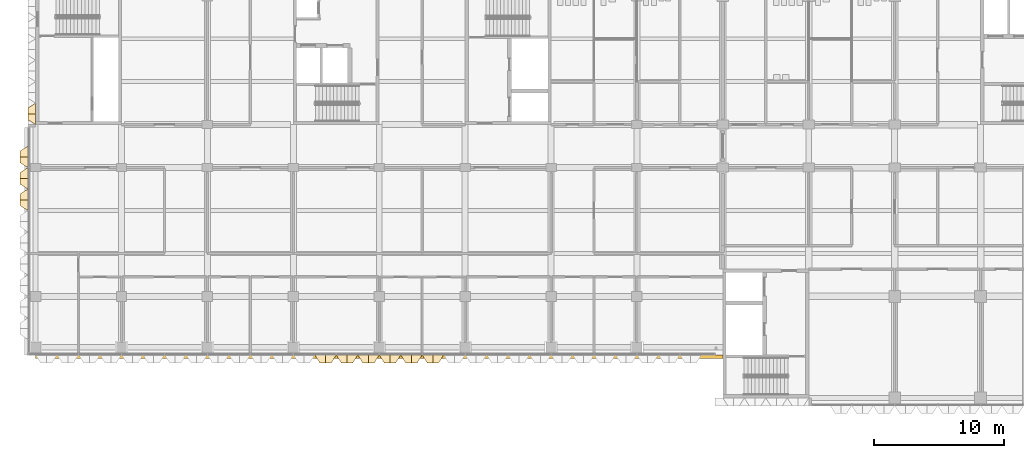
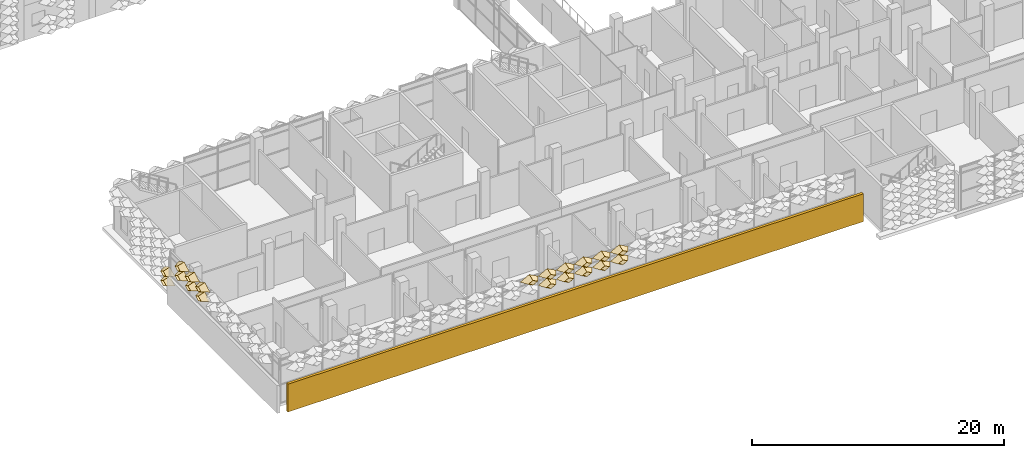
# One storey, part 58 of 102: 20 coverings.
"""IFC4 building model written with IfcOpenShell, lengths in metres."""

from ifc_helpers import new_model, entity, si_unit, direction, frame, frame_2d, origin, place, context, subcontext, project, spatial, rectangle, extrude, material, layer, layer_set, type_object, element, save


model = new_model("IFC4")

# Units and contexts
model_context = context("Model", 3, precision=1e-05, world=origin(), true_north=direction((0.0, 1.0)))
body_context = subcontext(model_context, "Body", "Model", "MODEL_VIEW")
ifc_project = project(units=[si_unit("LENGTHUNIT", "METRE"), si_unit("AREAUNIT", "SQUARE_METRE"), si_unit("VOLUMEUNIT", "CUBIC_METRE"), si_unit("PLANEANGLEUNIT", "RADIAN"), si_unit("MASSUNIT", "GRAM", prefix="KILO")], contexts=[model_context])

# Site, building, storey
site_placement = place(None, origin())
site = spatial("IfcSite", under=ifc_project, at=site_placement, CompositionType="ELEMENT")
building_placement = place(site_placement, origin())
building = spatial("IfcBuilding", under=site, at=building_placement, Name="Lantern Court Research Institute", CompositionType="ELEMENT")
storey_placement = place(building_placement, frame((0.0, 0.0, 9.89990234375)))
storey = spatial("IfcBuildingStorey", under=building, at=storey_placement, Name="L02", CompositionType="ELEMENT", Elevation=9.89990234375)

# Coverings
ifc_material_1 = material(Name="Anodised aluminium", Category="aluminium")
ifc_layer_1 = layer(ifc_material_1, 0.01611328125)
ifc_layer_set_1 = layer_set([ifc_layer_1], Name="Anodised aluminium")
covering_type_1 = type_object("IfcCoveringType", Name="Fin cassette 1650 x 900 x 600 aluminium", PredefinedType="CLADDING", material=ifc_layer_set_1)
covering_1_placement = place(storey_placement, frame((23.925048828125, -4.5, 3.150146484375), z_axis=(0.0, -1.0, 0.0), x_axis=(1.0, 0.0, 0.0)))
cartesian_point_1 = entity("IfcCartesianPoint", [0.824951171875, 0.0])
cartesian_point_2 = entity("IfcCartesianPoint", [0.79150390625, 0.0])
cartesian_point_3 = entity("IfcCartesianPoint", [0.44189453125, 0.0])
cartesian_point_4 = entity("IfcCartesianPoint", [0.43359375, 0.0])
element("IfcCovering", 1, at=covering_1_placement, inside=storey, type_object=covering_type_1, Name="Fin cassette V4S-L02 4.15", PredefinedType="CLADDING", context=body_context, shape_type="SweptSolid", body=[
    entity("IfcExtrudedAreaSolidTapered", entity("IfcArbitraryProfileDefWithVoids", "AREA", None, entity("IfcPolyline", [cartesian_point_1, entity("IfcCartesianPoint", [0.0, 0.449951171875]), entity("IfcCartesianPoint", [-0.824951171875, 0.0]), entity("IfcCartesianPoint", [0.0, -0.449951171875]), cartesian_point_1]), [entity("IfcPolyline", [cartesian_point_2, entity("IfcCartesianPoint", [0.0, 0.431884765625]), entity("IfcCartesianPoint", [-0.79150390625, 0.0]), entity("IfcCartesianPoint", [0.0, -0.431884765625]), cartesian_point_2])]), entity("IfcAxis2Placement3D", entity("IfcCartesianPoint", [0.0, 0.0, 0.0])), entity("IfcDirection", [0.0, 0.0, 1.0]), 0.60009765625, entity("IfcArbitraryProfileDefWithVoids", "AREA", None, entity("IfcPolyline", [cartesian_point_3, entity("IfcCartesianPoint", [0.0, 0.240966796875]), entity("IfcCartesianPoint", [-0.44189453125, 0.0]), entity("IfcCartesianPoint", [0.0, -0.240966796875]), cartesian_point_3]), [entity("IfcPolyline", [cartesian_point_4, entity("IfcCartesianPoint", [0.0, 0.236572265625]), entity("IfcCartesianPoint", [-0.43359375, 0.0]), entity("IfcCartesianPoint", [0.0, -0.236572265625]), cartesian_point_4])])),
])
covering_2_placement = place(storey_placement, frame((25.574951171875, -4.5, 3.150146484375), z_axis=(0.0, -1.0, 0.0), x_axis=(1.0, 0.0, 0.0)))
cartesian_point_5 = entity("IfcCartesianPoint", [0.824951171875, 0.0])
cartesian_point_6 = entity("IfcCartesianPoint", [0.79150390625, 0.0])
cartesian_point_7 = entity("IfcCartesianPoint", [0.44189453125, 0.0])
cartesian_point_8 = entity("IfcCartesianPoint", [0.43359375, 0.0])
element("IfcCovering", 2, at=covering_2_placement, inside=storey, type_object=covering_type_1, Name="Fin cassette V4S-L02 4.16", PredefinedType="CLADDING", context=body_context, shape_type="SweptSolid", body=[
    entity("IfcExtrudedAreaSolidTapered", entity("IfcArbitraryProfileDefWithVoids", "AREA", None, entity("IfcPolyline", [cartesian_point_5, entity("IfcCartesianPoint", [0.0, 0.449951171875]), entity("IfcCartesianPoint", [-0.824951171875, 0.0]), entity("IfcCartesianPoint", [0.0, -0.449951171875]), cartesian_point_5]), [entity("IfcPolyline", [cartesian_point_6, entity("IfcCartesianPoint", [0.0, 0.431884765625]), entity("IfcCartesianPoint", [-0.79150390625, 0.0]), entity("IfcCartesianPoint", [0.0, -0.431884765625]), cartesian_point_6])]), entity("IfcAxis2Placement3D", entity("IfcCartesianPoint", [0.0, 0.0, 0.0])), entity("IfcDirection", [0.0, 0.0, 1.0]), 0.60009765625, entity("IfcArbitraryProfileDefWithVoids", "AREA", None, entity("IfcPolyline", [cartesian_point_7, entity("IfcCartesianPoint", [0.0, 0.240966796875]), entity("IfcCartesianPoint", [-0.44189453125, 0.0]), entity("IfcCartesianPoint", [0.0, -0.240966796875]), cartesian_point_7]), [entity("IfcPolyline", [cartesian_point_8, entity("IfcCartesianPoint", [0.0, 0.236572265625]), entity("IfcCartesianPoint", [-0.43359375, 0.0]), entity("IfcCartesianPoint", [0.0, -0.236572265625]), cartesian_point_8])])),
])
covering_3_placement = place(storey_placement, frame((27.22509765625, -4.5, 3.150146484375), z_axis=(0.0, -1.0, 0.0), x_axis=(1.0, 0.0, 0.0)))
cartesian_point_9 = entity("IfcCartesianPoint", [0.824951171875, 0.0])
cartesian_point_10 = entity("IfcCartesianPoint", [0.79150390625, 0.0])
cartesian_point_11 = entity("IfcCartesianPoint", [0.44189453125, 0.0])
cartesian_point_12 = entity("IfcCartesianPoint", [0.43359375, 0.0])
element("IfcCovering", 3, at=covering_3_placement, inside=storey, type_object=covering_type_1, Name="Fin cassette V4S-L02 4.17", PredefinedType="CLADDING", context=body_context, shape_type="SweptSolid", body=[
    entity("IfcExtrudedAreaSolidTapered", entity("IfcArbitraryProfileDefWithVoids", "AREA", None, entity("IfcPolyline", [cartesian_point_9, entity("IfcCartesianPoint", [0.0, 0.449951171875]), entity("IfcCartesianPoint", [-0.824951171875, 0.0]), entity("IfcCartesianPoint", [0.0, -0.449951171875]), cartesian_point_9]), [entity("IfcPolyline", [cartesian_point_10, entity("IfcCartesianPoint", [0.0, 0.431884765625]), entity("IfcCartesianPoint", [-0.79150390625, 0.0]), entity("IfcCartesianPoint", [0.0, -0.431884765625]), cartesian_point_10])]), entity("IfcAxis2Placement3D", entity("IfcCartesianPoint", [0.0, 0.0, 0.0])), entity("IfcDirection", [0.0, 0.0, 1.0]), 0.60009765625, entity("IfcArbitraryProfileDefWithVoids", "AREA", None, entity("IfcPolyline", [cartesian_point_11, entity("IfcCartesianPoint", [0.0, 0.240966796875]), entity("IfcCartesianPoint", [-0.44189453125, 0.0]), entity("IfcCartesianPoint", [0.0, -0.240966796875]), cartesian_point_11]), [entity("IfcPolyline", [cartesian_point_12, entity("IfcCartesianPoint", [0.0, 0.236572265625]), entity("IfcCartesianPoint", [-0.43359375, 0.0]), entity("IfcCartesianPoint", [0.0, -0.236572265625]), cartesian_point_12])])),
])
covering_4_placement = place(storey_placement, frame((28.875, -4.5, 3.150146484375), z_axis=(0.0, -1.0, 0.0), x_axis=(1.0, 0.0, 0.0)))
cartesian_point_13 = entity("IfcCartesianPoint", [0.824951171875, 0.0])
cartesian_point_14 = entity("IfcCartesianPoint", [0.79150390625, 0.0])
cartesian_point_15 = entity("IfcCartesianPoint", [0.44189453125, 0.0])
cartesian_point_16 = entity("IfcCartesianPoint", [0.43359375, 0.0])
element("IfcCovering", 4, at=covering_4_placement, inside=storey, type_object=covering_type_1, Name="Fin cassette V4S-L02 4.18", PredefinedType="CLADDING", context=body_context, shape_type="SweptSolid", body=[
    entity("IfcExtrudedAreaSolidTapered", entity("IfcArbitraryProfileDefWithVoids", "AREA", None, entity("IfcPolyline", [cartesian_point_13, entity("IfcCartesianPoint", [0.0, 0.449951171875]), entity("IfcCartesianPoint", [-0.824951171875, 0.0]), entity("IfcCartesianPoint", [0.0, -0.449951171875]), cartesian_point_13]), [entity("IfcPolyline", [cartesian_point_14, entity("IfcCartesianPoint", [0.0, 0.431884765625]), entity("IfcCartesianPoint", [-0.79150390625, 0.0]), entity("IfcCartesianPoint", [0.0, -0.431884765625]), cartesian_point_14])]), entity("IfcAxis2Placement3D", entity("IfcCartesianPoint", [0.0, 0.0, 0.0])), entity("IfcDirection", [0.0, 0.0, 1.0]), 0.60009765625, entity("IfcArbitraryProfileDefWithVoids", "AREA", None, entity("IfcPolyline", [cartesian_point_15, entity("IfcCartesianPoint", [0.0, 0.240966796875]), entity("IfcCartesianPoint", [-0.44189453125, 0.0]), entity("IfcCartesianPoint", [0.0, -0.240966796875]), cartesian_point_15]), [entity("IfcPolyline", [cartesian_point_16, entity("IfcCartesianPoint", [0.0, 0.236572265625]), entity("IfcCartesianPoint", [-0.43359375, 0.0]), entity("IfcCartesianPoint", [0.0, -0.236572265625]), cartesian_point_16])])),
])
covering_5_placement = place(storey_placement, frame((30.52490234375, -4.5, 3.150146484375), z_axis=(0.0, -1.0, 0.0), x_axis=(1.0, 0.0, 0.0)))
cartesian_point_17 = entity("IfcCartesianPoint", [0.824951171875, 0.0])
cartesian_point_18 = entity("IfcCartesianPoint", [0.79150390625, 0.0])
cartesian_point_19 = entity("IfcCartesianPoint", [0.44189453125, 0.0])
cartesian_point_20 = entity("IfcCartesianPoint", [0.43359375, 0.0])
element("IfcCovering", 5, at=covering_5_placement, inside=storey, type_object=covering_type_1, Name="Fin cassette V4S-L02 4.19", PredefinedType="CLADDING", context=body_context, shape_type="SweptSolid", body=[
    entity("IfcExtrudedAreaSolidTapered", entity("IfcArbitraryProfileDefWithVoids", "AREA", None, entity("IfcPolyline", [cartesian_point_17, entity("IfcCartesianPoint", [0.0, 0.449951171875]), entity("IfcCartesianPoint", [-0.824951171875, 0.0]), entity("IfcCartesianPoint", [0.0, -0.449951171875]), cartesian_point_17]), [entity("IfcPolyline", [cartesian_point_18, entity("IfcCartesianPoint", [0.0, 0.431884765625]), entity("IfcCartesianPoint", [-0.79150390625, 0.0]), entity("IfcCartesianPoint", [0.0, -0.431884765625]), cartesian_point_18])]), entity("IfcAxis2Placement3D", entity("IfcCartesianPoint", [0.0, 0.0, 0.0])), entity("IfcDirection", [0.0, 0.0, 1.0]), 0.60009765625, entity("IfcArbitraryProfileDefWithVoids", "AREA", None, entity("IfcPolyline", [cartesian_point_19, entity("IfcCartesianPoint", [0.0, 0.240966796875]), entity("IfcCartesianPoint", [-0.44189453125, 0.0]), entity("IfcCartesianPoint", [0.0, -0.240966796875]), cartesian_point_19]), [entity("IfcPolyline", [cartesian_point_20, entity("IfcCartesianPoint", [0.0, 0.236572265625]), entity("IfcCartesianPoint", [-0.43359375, 0.0]), entity("IfcCartesianPoint", [0.0, -0.236572265625]), cartesian_point_20])])),
])
covering_6_placement = place(storey_placement, frame((22.27490234375, -4.5, 4.050048828125), z_axis=(0.0, -1.0, 0.0), x_axis=(1.0, 0.0, 0.0)))
cartesian_point_21 = entity("IfcCartesianPoint", [0.824951171875, 0.0])
cartesian_point_22 = entity("IfcCartesianPoint", [0.79150390625, 0.0])
cartesian_point_23 = entity("IfcCartesianPoint", [0.44189453125, 0.0])
cartesian_point_24 = entity("IfcCartesianPoint", [0.43359375, 0.0])
element("IfcCovering", 6, at=covering_6_placement, inside=storey, type_object=covering_type_1, Name="Fin cassette V4S-L02 5.14", PredefinedType="CLADDING", context=body_context, shape_type="SweptSolid", body=[
    entity("IfcExtrudedAreaSolidTapered", entity("IfcArbitraryProfileDefWithVoids", "AREA", None, entity("IfcPolyline", [cartesian_point_21, entity("IfcCartesianPoint", [0.0, 0.449951171875]), entity("IfcCartesianPoint", [-0.824951171875, 0.0]), entity("IfcCartesianPoint", [0.0, -0.449951171875]), cartesian_point_21]), [entity("IfcPolyline", [cartesian_point_22, entity("IfcCartesianPoint", [0.0, 0.431884765625]), entity("IfcCartesianPoint", [-0.79150390625, 0.0]), entity("IfcCartesianPoint", [0.0, -0.431884765625]), cartesian_point_22])]), entity("IfcAxis2Placement3D", entity("IfcCartesianPoint", [0.0, 0.0, 0.0])), entity("IfcDirection", [0.0, 0.0, 1.0]), 0.60009765625, entity("IfcArbitraryProfileDefWithVoids", "AREA", None, entity("IfcPolyline", [cartesian_point_23, entity("IfcCartesianPoint", [0.0, 0.240966796875]), entity("IfcCartesianPoint", [-0.44189453125, 0.0]), entity("IfcCartesianPoint", [0.0, -0.240966796875]), cartesian_point_23]), [entity("IfcPolyline", [cartesian_point_24, entity("IfcCartesianPoint", [0.0, 0.236572265625]), entity("IfcCartesianPoint", [-0.43359375, 0.0]), entity("IfcCartesianPoint", [0.0, -0.236572265625]), cartesian_point_24])])),
])
covering_7_placement = place(storey_placement, frame((23.925048828125, -4.5, 4.050048828125), z_axis=(0.0, -1.0, 0.0), x_axis=(1.0, 0.0, 0.0)))
cartesian_point_25 = entity("IfcCartesianPoint", [0.824951171875, 0.0])
cartesian_point_26 = entity("IfcCartesianPoint", [0.79150390625, 0.0])
cartesian_point_27 = entity("IfcCartesianPoint", [0.44189453125, 0.0])
cartesian_point_28 = entity("IfcCartesianPoint", [0.43359375, 0.0])
element("IfcCovering", 7, at=covering_7_placement, inside=storey, type_object=covering_type_1, Name="Fin cassette V4S-L02 5.15", PredefinedType="CLADDING", context=body_context, shape_type="SweptSolid", body=[
    entity("IfcExtrudedAreaSolidTapered", entity("IfcArbitraryProfileDefWithVoids", "AREA", None, entity("IfcPolyline", [cartesian_point_25, entity("IfcCartesianPoint", [0.0, 0.449951171875]), entity("IfcCartesianPoint", [-0.824951171875, 0.0]), entity("IfcCartesianPoint", [0.0, -0.449951171875]), cartesian_point_25]), [entity("IfcPolyline", [cartesian_point_26, entity("IfcCartesianPoint", [0.0, 0.431884765625]), entity("IfcCartesianPoint", [-0.79150390625, 0.0]), entity("IfcCartesianPoint", [0.0, -0.431884765625]), cartesian_point_26])]), entity("IfcAxis2Placement3D", entity("IfcCartesianPoint", [0.0, 0.0, 0.0])), entity("IfcDirection", [0.0, 0.0, 1.0]), 0.60009765625, entity("IfcArbitraryProfileDefWithVoids", "AREA", None, entity("IfcPolyline", [cartesian_point_27, entity("IfcCartesianPoint", [0.0, 0.240966796875]), entity("IfcCartesianPoint", [-0.44189453125, 0.0]), entity("IfcCartesianPoint", [0.0, -0.240966796875]), cartesian_point_27]), [entity("IfcPolyline", [cartesian_point_28, entity("IfcCartesianPoint", [0.0, 0.236572265625]), entity("IfcCartesianPoint", [-0.43359375, 0.0]), entity("IfcCartesianPoint", [0.0, -0.236572265625]), cartesian_point_28])])),
])
covering_8_placement = place(storey_placement, frame((25.574951171875, -4.5, 4.050048828125), z_axis=(0.0, -1.0, 0.0), x_axis=(1.0, 0.0, 0.0)))
cartesian_point_29 = entity("IfcCartesianPoint", [0.824951171875, 0.0])
cartesian_point_30 = entity("IfcCartesianPoint", [0.79150390625, 0.0])
cartesian_point_31 = entity("IfcCartesianPoint", [0.44189453125, 0.0])
cartesian_point_32 = entity("IfcCartesianPoint", [0.43359375, 0.0])
element("IfcCovering", 8, at=covering_8_placement, inside=storey, type_object=covering_type_1, Name="Fin cassette V4S-L02 5.16", PredefinedType="CLADDING", context=body_context, shape_type="SweptSolid", body=[
    entity("IfcExtrudedAreaSolidTapered", entity("IfcArbitraryProfileDefWithVoids", "AREA", None, entity("IfcPolyline", [cartesian_point_29, entity("IfcCartesianPoint", [0.0, 0.449951171875]), entity("IfcCartesianPoint", [-0.824951171875, 0.0]), entity("IfcCartesianPoint", [0.0, -0.449951171875]), cartesian_point_29]), [entity("IfcPolyline", [cartesian_point_30, entity("IfcCartesianPoint", [0.0, 0.431884765625]), entity("IfcCartesianPoint", [-0.79150390625, 0.0]), entity("IfcCartesianPoint", [0.0, -0.431884765625]), cartesian_point_30])]), entity("IfcAxis2Placement3D", entity("IfcCartesianPoint", [0.0, 0.0, 0.0])), entity("IfcDirection", [0.0, 0.0, 1.0]), 0.60009765625, entity("IfcArbitraryProfileDefWithVoids", "AREA", None, entity("IfcPolyline", [cartesian_point_31, entity("IfcCartesianPoint", [0.0, 0.240966796875]), entity("IfcCartesianPoint", [-0.44189453125, 0.0]), entity("IfcCartesianPoint", [0.0, -0.240966796875]), cartesian_point_31]), [entity("IfcPolyline", [cartesian_point_32, entity("IfcCartesianPoint", [0.0, 0.236572265625]), entity("IfcCartesianPoint", [-0.43359375, 0.0]), entity("IfcCartesianPoint", [0.0, -0.236572265625]), cartesian_point_32])])),
])
covering_9_placement = place(storey_placement, frame((27.22509765625, -4.5, 4.050048828125), z_axis=(0.0, -1.0, 0.0), x_axis=(1.0, 0.0, 0.0)))
cartesian_point_33 = entity("IfcCartesianPoint", [0.824951171875, 0.0])
cartesian_point_34 = entity("IfcCartesianPoint", [0.79150390625, 0.0])
cartesian_point_35 = entity("IfcCartesianPoint", [0.44189453125, 0.0])
cartesian_point_36 = entity("IfcCartesianPoint", [0.43359375, 0.0])
element("IfcCovering", 9, at=covering_9_placement, inside=storey, type_object=covering_type_1, Name="Fin cassette V4S-L02 5.17", PredefinedType="CLADDING", context=body_context, shape_type="SweptSolid", body=[
    entity("IfcExtrudedAreaSolidTapered", entity("IfcArbitraryProfileDefWithVoids", "AREA", None, entity("IfcPolyline", [cartesian_point_33, entity("IfcCartesianPoint", [0.0, 0.449951171875]), entity("IfcCartesianPoint", [-0.824951171875, 0.0]), entity("IfcCartesianPoint", [0.0, -0.449951171875]), cartesian_point_33]), [entity("IfcPolyline", [cartesian_point_34, entity("IfcCartesianPoint", [0.0, 0.431884765625]), entity("IfcCartesianPoint", [-0.79150390625, 0.0]), entity("IfcCartesianPoint", [0.0, -0.431884765625]), cartesian_point_34])]), entity("IfcAxis2Placement3D", entity("IfcCartesianPoint", [0.0, 0.0, 0.0])), entity("IfcDirection", [0.0, 0.0, 1.0]), 0.60009765625, entity("IfcArbitraryProfileDefWithVoids", "AREA", None, entity("IfcPolyline", [cartesian_point_35, entity("IfcCartesianPoint", [0.0, 0.240966796875]), entity("IfcCartesianPoint", [-0.44189453125, 0.0]), entity("IfcCartesianPoint", [0.0, -0.240966796875]), cartesian_point_35]), [entity("IfcPolyline", [cartesian_point_36, entity("IfcCartesianPoint", [0.0, 0.236572265625]), entity("IfcCartesianPoint", [-0.43359375, 0.0]), entity("IfcCartesianPoint", [0.0, -0.236572265625]), cartesian_point_36])])),
])
covering_10_placement = place(storey_placement, frame((28.875, -4.5, 4.050048828125), z_axis=(0.0, -1.0, 0.0), x_axis=(1.0, 0.0, 0.0)))
cartesian_point_37 = entity("IfcCartesianPoint", [0.824951171875, 0.0])
cartesian_point_38 = entity("IfcCartesianPoint", [0.79150390625, 0.0])
cartesian_point_39 = entity("IfcCartesianPoint", [0.44189453125, 0.0])
cartesian_point_40 = entity("IfcCartesianPoint", [0.43359375, 0.0])
element("IfcCovering", 10, at=covering_10_placement, inside=storey, type_object=covering_type_1, Name="Fin cassette V4S-L02 5.18", PredefinedType="CLADDING", context=body_context, shape_type="SweptSolid", body=[
    entity("IfcExtrudedAreaSolidTapered", entity("IfcArbitraryProfileDefWithVoids", "AREA", None, entity("IfcPolyline", [cartesian_point_37, entity("IfcCartesianPoint", [0.0, 0.449951171875]), entity("IfcCartesianPoint", [-0.824951171875, 0.0]), entity("IfcCartesianPoint", [0.0, -0.449951171875]), cartesian_point_37]), [entity("IfcPolyline", [cartesian_point_38, entity("IfcCartesianPoint", [0.0, 0.431884765625]), entity("IfcCartesianPoint", [-0.79150390625, 0.0]), entity("IfcCartesianPoint", [0.0, -0.431884765625]), cartesian_point_38])]), entity("IfcAxis2Placement3D", entity("IfcCartesianPoint", [0.0, 0.0, 0.0])), entity("IfcDirection", [0.0, 0.0, 1.0]), 0.60009765625, entity("IfcArbitraryProfileDefWithVoids", "AREA", None, entity("IfcPolyline", [cartesian_point_39, entity("IfcCartesianPoint", [0.0, 0.240966796875]), entity("IfcCartesianPoint", [-0.44189453125, 0.0]), entity("IfcCartesianPoint", [0.0, -0.240966796875]), cartesian_point_39]), [entity("IfcPolyline", [cartesian_point_40, entity("IfcCartesianPoint", [0.0, 0.236572265625]), entity("IfcCartesianPoint", [-0.43359375, 0.0]), entity("IfcCartesianPoint", [0.0, -0.236572265625]), cartesian_point_40])])),
])
covering_11_placement = place(storey_placement, frame((30.52490234375, -4.5, 4.050048828125), z_axis=(0.0, -1.0, 0.0), x_axis=(1.0, 0.0, 0.0)))
cartesian_point_41 = entity("IfcCartesianPoint", [0.824951171875, 0.0])
cartesian_point_42 = entity("IfcCartesianPoint", [0.79150390625, 0.0])
cartesian_point_43 = entity("IfcCartesianPoint", [0.44189453125, 0.0])
cartesian_point_44 = entity("IfcCartesianPoint", [0.43359375, 0.0])
element("IfcCovering", 11, at=covering_11_placement, inside=storey, type_object=covering_type_1, Name="Fin cassette V4S-L02 5.19", PredefinedType="CLADDING", context=body_context, shape_type="SweptSolid", body=[
    entity("IfcExtrudedAreaSolidTapered", entity("IfcArbitraryProfileDefWithVoids", "AREA", None, entity("IfcPolyline", [cartesian_point_41, entity("IfcCartesianPoint", [0.0, 0.449951171875]), entity("IfcCartesianPoint", [-0.824951171875, 0.0]), entity("IfcCartesianPoint", [0.0, -0.449951171875]), cartesian_point_41]), [entity("IfcPolyline", [cartesian_point_42, entity("IfcCartesianPoint", [0.0, 0.431884765625]), entity("IfcCartesianPoint", [-0.79150390625, 0.0]), entity("IfcCartesianPoint", [0.0, -0.431884765625]), cartesian_point_42])]), entity("IfcAxis2Placement3D", entity("IfcCartesianPoint", [0.0, 0.0, 0.0])), entity("IfcDirection", [0.0, 0.0, 1.0]), 0.60009765625, entity("IfcArbitraryProfileDefWithVoids", "AREA", None, entity("IfcPolyline", [cartesian_point_43, entity("IfcCartesianPoint", [0.0, 0.240966796875]), entity("IfcCartesianPoint", [-0.44189453125, 0.0]), entity("IfcCartesianPoint", [0.0, -0.240966796875]), cartesian_point_43]), [entity("IfcPolyline", [cartesian_point_44, entity("IfcCartesianPoint", [0.0, 0.236572265625]), entity("IfcCartesianPoint", [-0.43359375, 0.0]), entity("IfcCartesianPoint", [0.0, -0.236572265625]), cartesian_point_44])])),
])
covering_12_placement = place(storey_placement, frame((0.0, 14.02490234375, 0.4501953125), z_axis=(-1.0, 0.0, 0.0), x_axis=(0.0, -1.0, 0.0)))
cartesian_point_45 = entity("IfcCartesianPoint", [0.824951171875, 0.0])
cartesian_point_46 = entity("IfcCartesianPoint", [0.79150390625, 0.0])
cartesian_point_47 = entity("IfcCartesianPoint", [0.44189453125, 0.0])
cartesian_point_48 = entity("IfcCartesianPoint", [0.43359375, 0.0])
element("IfcCovering", 12, at=covering_12_placement, inside=storey, type_object=covering_type_1, Name="Fin cassette V4W-L02 1.9", PredefinedType="CLADDING", context=body_context, shape_type="SweptSolid", body=[
    entity("IfcExtrudedAreaSolidTapered", entity("IfcArbitraryProfileDefWithVoids", "AREA", None, entity("IfcPolyline", [cartesian_point_45, entity("IfcCartesianPoint", [0.0, 0.449951171875]), entity("IfcCartesianPoint", [-0.824951171875, 0.0]), entity("IfcCartesianPoint", [0.0, -0.449951171875]), cartesian_point_45]), [entity("IfcPolyline", [cartesian_point_46, entity("IfcCartesianPoint", [0.0, 0.431884765625]), entity("IfcCartesianPoint", [-0.79150390625, 0.0]), entity("IfcCartesianPoint", [0.0, -0.431884765625]), cartesian_point_46])]), entity("IfcAxis2Placement3D", entity("IfcCartesianPoint", [0.0, 0.0, 0.0])), entity("IfcDirection", [0.0, 0.0, 1.0]), 0.60009765625, entity("IfcArbitraryProfileDefWithVoids", "AREA", None, entity("IfcPolyline", [cartesian_point_47, entity("IfcCartesianPoint", [0.0, 0.240966796875]), entity("IfcCartesianPoint", [-0.44189453125, 0.0]), entity("IfcCartesianPoint", [0.0, -0.240966796875]), cartesian_point_47]), [entity("IfcPolyline", [cartesian_point_48, entity("IfcCartesianPoint", [0.0, 0.236572265625]), entity("IfcCartesianPoint", [-0.43359375, 0.0]), entity("IfcCartesianPoint", [0.0, -0.236572265625]), cartesian_point_48])])),
])
covering_13_placement = place(storey_placement, frame((0.0, 14.02490234375, 1.35009765625), z_axis=(-1.0, 0.0, 0.0), x_axis=(0.0, -1.0, 0.0)))
cartesian_point_49 = entity("IfcCartesianPoint", [0.824951171875, 0.0])
cartesian_point_50 = entity("IfcCartesianPoint", [0.79150390625, 0.0])
cartesian_point_51 = entity("IfcCartesianPoint", [0.44189453125, 0.0])
cartesian_point_52 = entity("IfcCartesianPoint", [0.43359375, 0.0])
element("IfcCovering", 13, at=covering_13_placement, inside=storey, type_object=covering_type_1, Name="Fin cassette V4W-L02 2.9", PredefinedType="CLADDING", context=body_context, shape_type="SweptSolid", body=[
    entity("IfcExtrudedAreaSolidTapered", entity("IfcArbitraryProfileDefWithVoids", "AREA", None, entity("IfcPolyline", [cartesian_point_49, entity("IfcCartesianPoint", [0.0, 0.449951171875]), entity("IfcCartesianPoint", [-0.824951171875, 0.0]), entity("IfcCartesianPoint", [0.0, -0.449951171875]), cartesian_point_49]), [entity("IfcPolyline", [cartesian_point_50, entity("IfcCartesianPoint", [0.0, 0.431884765625]), entity("IfcCartesianPoint", [-0.79150390625, 0.0]), entity("IfcCartesianPoint", [0.0, -0.431884765625]), cartesian_point_50])]), entity("IfcAxis2Placement3D", entity("IfcCartesianPoint", [0.0, 0.0, 0.0])), entity("IfcDirection", [0.0, 0.0, 1.0]), 0.60009765625, entity("IfcArbitraryProfileDefWithVoids", "AREA", None, entity("IfcPolyline", [cartesian_point_51, entity("IfcCartesianPoint", [0.0, 0.240966796875]), entity("IfcCartesianPoint", [-0.44189453125, 0.0]), entity("IfcCartesianPoint", [0.0, -0.240966796875]), cartesian_point_51]), [entity("IfcPolyline", [cartesian_point_52, entity("IfcCartesianPoint", [0.0, 0.236572265625]), entity("IfcCartesianPoint", [-0.43359375, 0.0]), entity("IfcCartesianPoint", [0.0, -0.236572265625]), cartesian_point_52])])),
])
covering_14_placement = place(storey_placement, frame((-0.60009765625, 7.425048828125, 3.150146484375), z_axis=(-1.0, 0.0, 0.0), x_axis=(0.0, -1.0, 0.0)))
cartesian_point_53 = entity("IfcCartesianPoint", [0.824951171875, 0.0])
cartesian_point_54 = entity("IfcCartesianPoint", [0.79150390625, 0.0])
cartesian_point_55 = entity("IfcCartesianPoint", [0.44189453125, 0.0])
cartesian_point_56 = entity("IfcCartesianPoint", [0.43359375, 0.0])
element("IfcCovering", 14, at=covering_14_placement, inside=storey, type_object=covering_type_1, Name="Fin cassette V4W-L02 4.5", PredefinedType="CLADDING", context=body_context, shape_type="SweptSolid", body=[
    entity("IfcExtrudedAreaSolidTapered", entity("IfcArbitraryProfileDefWithVoids", "AREA", None, entity("IfcPolyline", [cartesian_point_53, entity("IfcCartesianPoint", [0.0, 0.449951171875]), entity("IfcCartesianPoint", [-0.824951171875, 0.0]), entity("IfcCartesianPoint", [0.0, -0.449951171875]), cartesian_point_53]), [entity("IfcPolyline", [cartesian_point_54, entity("IfcCartesianPoint", [0.0, 0.431884765625]), entity("IfcCartesianPoint", [-0.79150390625, 0.0]), entity("IfcCartesianPoint", [0.0, -0.431884765625]), cartesian_point_54])]), entity("IfcAxis2Placement3D", entity("IfcCartesianPoint", [0.0, 0.0, 0.0])), entity("IfcDirection", [0.0, 0.0, 1.0]), 0.60009765625, entity("IfcArbitraryProfileDefWithVoids", "AREA", None, entity("IfcPolyline", [cartesian_point_55, entity("IfcCartesianPoint", [0.0, 0.240966796875]), entity("IfcCartesianPoint", [-0.44189453125, 0.0]), entity("IfcCartesianPoint", [0.0, -0.240966796875]), cartesian_point_55]), [entity("IfcPolyline", [cartesian_point_56, entity("IfcCartesianPoint", [0.0, 0.236572265625]), entity("IfcCartesianPoint", [-0.43359375, 0.0]), entity("IfcCartesianPoint", [0.0, -0.236572265625]), cartesian_point_56])])),
])
covering_15_placement = place(storey_placement, frame((-0.60009765625, 9.074951171875, 3.150146484375), z_axis=(-1.0, 0.0, 0.0), x_axis=(0.0, -1.0, 0.0)))
cartesian_point_57 = entity("IfcCartesianPoint", [0.824951171875, 0.0])
cartesian_point_58 = entity("IfcCartesianPoint", [0.79150390625, 0.0])
cartesian_point_59 = entity("IfcCartesianPoint", [0.44189453125, 0.0])
cartesian_point_60 = entity("IfcCartesianPoint", [0.43359375, 0.0])
element("IfcCovering", 15, at=covering_15_placement, inside=storey, type_object=covering_type_1, Name="Fin cassette V4W-L02 4.6", PredefinedType="CLADDING", context=body_context, shape_type="SweptSolid", body=[
    entity("IfcExtrudedAreaSolidTapered", entity("IfcArbitraryProfileDefWithVoids", "AREA", None, entity("IfcPolyline", [cartesian_point_57, entity("IfcCartesianPoint", [0.0, 0.449951171875]), entity("IfcCartesianPoint", [-0.824951171875, 0.0]), entity("IfcCartesianPoint", [0.0, -0.449951171875]), cartesian_point_57]), [entity("IfcPolyline", [cartesian_point_58, entity("IfcCartesianPoint", [0.0, 0.431884765625]), entity("IfcCartesianPoint", [-0.79150390625, 0.0]), entity("IfcCartesianPoint", [0.0, -0.431884765625]), cartesian_point_58])]), entity("IfcAxis2Placement3D", entity("IfcCartesianPoint", [0.0, 0.0, 0.0])), entity("IfcDirection", [0.0, 0.0, 1.0]), 0.60009765625, entity("IfcArbitraryProfileDefWithVoids", "AREA", None, entity("IfcPolyline", [cartesian_point_59, entity("IfcCartesianPoint", [0.0, 0.240966796875]), entity("IfcCartesianPoint", [-0.44189453125, 0.0]), entity("IfcCartesianPoint", [0.0, -0.240966796875]), cartesian_point_59]), [entity("IfcPolyline", [cartesian_point_60, entity("IfcCartesianPoint", [0.0, 0.236572265625]), entity("IfcCartesianPoint", [-0.43359375, 0.0]), entity("IfcCartesianPoint", [0.0, -0.236572265625]), cartesian_point_60])])),
])
covering_16_placement = place(storey_placement, frame((-0.60009765625, 10.72509765625, 3.150146484375), z_axis=(-1.0, 0.0, 0.0), x_axis=(0.0, -1.0, 0.0)))
cartesian_point_61 = entity("IfcCartesianPoint", [0.824951171875, 0.0])
cartesian_point_62 = entity("IfcCartesianPoint", [0.79150390625, 0.0])
cartesian_point_63 = entity("IfcCartesianPoint", [0.44189453125, 0.0])
cartesian_point_64 = entity("IfcCartesianPoint", [0.43359375, 0.0])
element("IfcCovering", 16, at=covering_16_placement, inside=storey, type_object=covering_type_1, Name="Fin cassette V4W-L02 4.7", PredefinedType="CLADDING", context=body_context, shape_type="SweptSolid", body=[
    entity("IfcExtrudedAreaSolidTapered", entity("IfcArbitraryProfileDefWithVoids", "AREA", None, entity("IfcPolyline", [cartesian_point_61, entity("IfcCartesianPoint", [0.0, 0.449951171875]), entity("IfcCartesianPoint", [-0.824951171875, 0.0]), entity("IfcCartesianPoint", [0.0, -0.449951171875]), cartesian_point_61]), [entity("IfcPolyline", [cartesian_point_62, entity("IfcCartesianPoint", [0.0, 0.431884765625]), entity("IfcCartesianPoint", [-0.79150390625, 0.0]), entity("IfcCartesianPoint", [0.0, -0.431884765625]), cartesian_point_62])]), entity("IfcAxis2Placement3D", entity("IfcCartesianPoint", [0.0, 0.0, 0.0])), entity("IfcDirection", [0.0, 0.0, 1.0]), 0.60009765625, entity("IfcArbitraryProfileDefWithVoids", "AREA", None, entity("IfcPolyline", [cartesian_point_63, entity("IfcCartesianPoint", [0.0, 0.240966796875]), entity("IfcCartesianPoint", [-0.44189453125, 0.0]), entity("IfcCartesianPoint", [0.0, -0.240966796875]), cartesian_point_63]), [entity("IfcPolyline", [cartesian_point_64, entity("IfcCartesianPoint", [0.0, 0.236572265625]), entity("IfcCartesianPoint", [-0.43359375, 0.0]), entity("IfcCartesianPoint", [0.0, -0.236572265625]), cartesian_point_64])])),
])
covering_17_placement = place(storey_placement, frame((-0.60009765625, 7.425048828125, 4.050048828125), z_axis=(-1.0, 0.0, 0.0), x_axis=(0.0, -1.0, 0.0)))
cartesian_point_65 = entity("IfcCartesianPoint", [0.824951171875, 0.0])
cartesian_point_66 = entity("IfcCartesianPoint", [0.79150390625, 0.0])
cartesian_point_67 = entity("IfcCartesianPoint", [0.44189453125, 0.0])
cartesian_point_68 = entity("IfcCartesianPoint", [0.43359375, 0.0])
element("IfcCovering", 17, at=covering_17_placement, inside=storey, type_object=covering_type_1, Name="Fin cassette V4W-L02 5.5", PredefinedType="CLADDING", context=body_context, shape_type="SweptSolid", body=[
    entity("IfcExtrudedAreaSolidTapered", entity("IfcArbitraryProfileDefWithVoids", "AREA", None, entity("IfcPolyline", [cartesian_point_65, entity("IfcCartesianPoint", [0.0, 0.449951171875]), entity("IfcCartesianPoint", [-0.824951171875, 0.0]), entity("IfcCartesianPoint", [0.0, -0.449951171875]), cartesian_point_65]), [entity("IfcPolyline", [cartesian_point_66, entity("IfcCartesianPoint", [0.0, 0.431884765625]), entity("IfcCartesianPoint", [-0.79150390625, 0.0]), entity("IfcCartesianPoint", [0.0, -0.431884765625]), cartesian_point_66])]), entity("IfcAxis2Placement3D", entity("IfcCartesianPoint", [0.0, 0.0, 0.0])), entity("IfcDirection", [0.0, 0.0, 1.0]), 0.60009765625, entity("IfcArbitraryProfileDefWithVoids", "AREA", None, entity("IfcPolyline", [cartesian_point_67, entity("IfcCartesianPoint", [0.0, 0.240966796875]), entity("IfcCartesianPoint", [-0.44189453125, 0.0]), entity("IfcCartesianPoint", [0.0, -0.240966796875]), cartesian_point_67]), [entity("IfcPolyline", [cartesian_point_68, entity("IfcCartesianPoint", [0.0, 0.236572265625]), entity("IfcCartesianPoint", [-0.43359375, 0.0]), entity("IfcCartesianPoint", [0.0, -0.236572265625]), cartesian_point_68])])),
])
covering_18_placement = place(storey_placement, frame((-0.60009765625, 9.074951171875, 4.050048828125), z_axis=(-1.0, 0.0, 0.0), x_axis=(0.0, -1.0, 0.0)))
cartesian_point_69 = entity("IfcCartesianPoint", [0.824951171875, 0.0])
cartesian_point_70 = entity("IfcCartesianPoint", [0.79150390625, 0.0])
cartesian_point_71 = entity("IfcCartesianPoint", [0.44189453125, 0.0])
cartesian_point_72 = entity("IfcCartesianPoint", [0.43359375, 0.0])
element("IfcCovering", 18, at=covering_18_placement, inside=storey, type_object=covering_type_1, Name="Fin cassette V4W-L02 5.6", PredefinedType="CLADDING", context=body_context, shape_type="SweptSolid", body=[
    entity("IfcExtrudedAreaSolidTapered", entity("IfcArbitraryProfileDefWithVoids", "AREA", None, entity("IfcPolyline", [cartesian_point_69, entity("IfcCartesianPoint", [0.0, 0.449951171875]), entity("IfcCartesianPoint", [-0.824951171875, 0.0]), entity("IfcCartesianPoint", [0.0, -0.449951171875]), cartesian_point_69]), [entity("IfcPolyline", [cartesian_point_70, entity("IfcCartesianPoint", [0.0, 0.431884765625]), entity("IfcCartesianPoint", [-0.79150390625, 0.0]), entity("IfcCartesianPoint", [0.0, -0.431884765625]), cartesian_point_70])]), entity("IfcAxis2Placement3D", entity("IfcCartesianPoint", [0.0, 0.0, 0.0])), entity("IfcDirection", [0.0, 0.0, 1.0]), 0.60009765625, entity("IfcArbitraryProfileDefWithVoids", "AREA", None, entity("IfcPolyline", [cartesian_point_71, entity("IfcCartesianPoint", [0.0, 0.240966796875]), entity("IfcCartesianPoint", [-0.44189453125, 0.0]), entity("IfcCartesianPoint", [0.0, -0.240966796875]), cartesian_point_71]), [entity("IfcPolyline", [cartesian_point_72, entity("IfcCartesianPoint", [0.0, 0.236572265625]), entity("IfcCartesianPoint", [-0.43359375, 0.0]), entity("IfcCartesianPoint", [0.0, -0.236572265625]), cartesian_point_72])])),
])
covering_19_placement = place(storey_placement, frame((-0.60009765625, 10.72509765625, 4.050048828125), z_axis=(-1.0, 0.0, 0.0), x_axis=(0.0, -1.0, 0.0)))
cartesian_point_73 = entity("IfcCartesianPoint", [0.824951171875, 0.0])
cartesian_point_74 = entity("IfcCartesianPoint", [0.79150390625, 0.0])
cartesian_point_75 = entity("IfcCartesianPoint", [0.44189453125, 0.0])
cartesian_point_76 = entity("IfcCartesianPoint", [0.43359375, 0.0])
element("IfcCovering", 19, at=covering_19_placement, inside=storey, type_object=covering_type_1, Name="Fin cassette V4W-L02 5.7", PredefinedType="CLADDING", context=body_context, shape_type="SweptSolid", body=[
    entity("IfcExtrudedAreaSolidTapered", entity("IfcArbitraryProfileDefWithVoids", "AREA", None, entity("IfcPolyline", [cartesian_point_73, entity("IfcCartesianPoint", [0.0, 0.449951171875]), entity("IfcCartesianPoint", [-0.824951171875, 0.0]), entity("IfcCartesianPoint", [0.0, -0.449951171875]), cartesian_point_73]), [entity("IfcPolyline", [cartesian_point_74, entity("IfcCartesianPoint", [0.0, 0.431884765625]), entity("IfcCartesianPoint", [-0.79150390625, 0.0]), entity("IfcCartesianPoint", [0.0, -0.431884765625]), cartesian_point_74])]), entity("IfcAxis2Placement3D", entity("IfcCartesianPoint", [0.0, 0.0, 0.0])), entity("IfcDirection", [0.0, 0.0, 1.0]), 0.60009765625, entity("IfcArbitraryProfileDefWithVoids", "AREA", None, entity("IfcPolyline", [cartesian_point_75, entity("IfcCartesianPoint", [0.0, 0.240966796875]), entity("IfcCartesianPoint", [-0.44189453125, 0.0]), entity("IfcCartesianPoint", [0.0, -0.240966796875]), cartesian_point_75]), [entity("IfcPolyline", [cartesian_point_76, entity("IfcCartesianPoint", [0.0, 0.236572265625]), entity("IfcCartesianPoint", [-0.43359375, 0.0]), entity("IfcCartesianPoint", [0.0, -0.236572265625]), cartesian_point_76])])),
])
ifc_material_2 = material(Name="Aluminium composite panel with mineral wool insulation", Category="aluminium")
ifc_layer_2 = layer(ifc_material_2, 0.25)
ifc_layer_set_2 = layer_set([ifc_layer_2], Name="Aluminium composite panel with mineral wool insulation")
covering_type_2 = type_object("IfcCoveringType", Name="Oversail edge band 250 aluminium composite", PredefinedType="CLADDING", material=ifc_layer_set_2)
covering_20_placement = place(storey_placement, frame((0.0, -4.625, -0.89990234375), z_axis=(0.0, 0.0, 1.0), x_axis=(1.0, 0.0, 0.0)))
element("IfcCovering", 20, at=covering_20_placement, inside=storey, type_object=covering_type_2, Name="Oversail edge band V4S 1", PredefinedType="CLADDING", context=body_context, shape_type="SweptSolid", body=[
    extrude(rectangle(XDim=52.800048828125, YDim=0.25, at=frame_2d((26.39990234375, 0.0))), origin(), (0.0, 0.0, 1.0), 2.699951171875),
])

save(model, "model.ifc")
